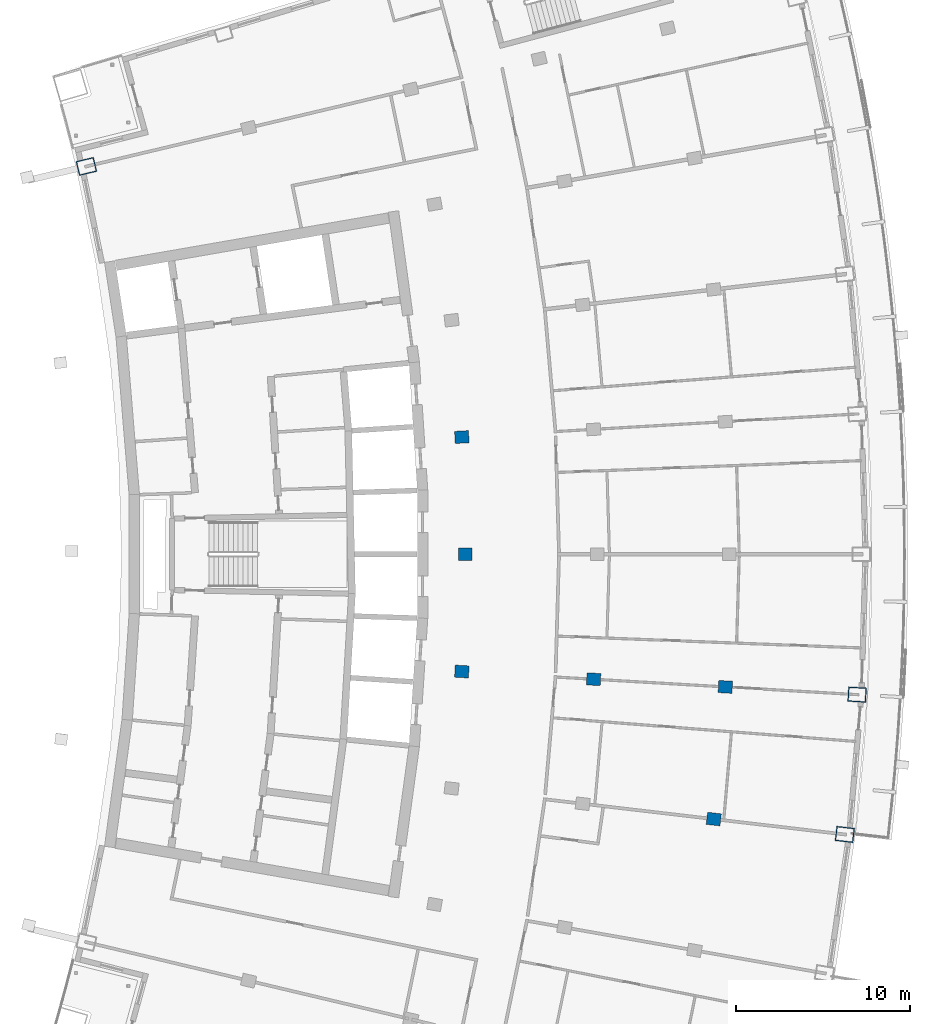
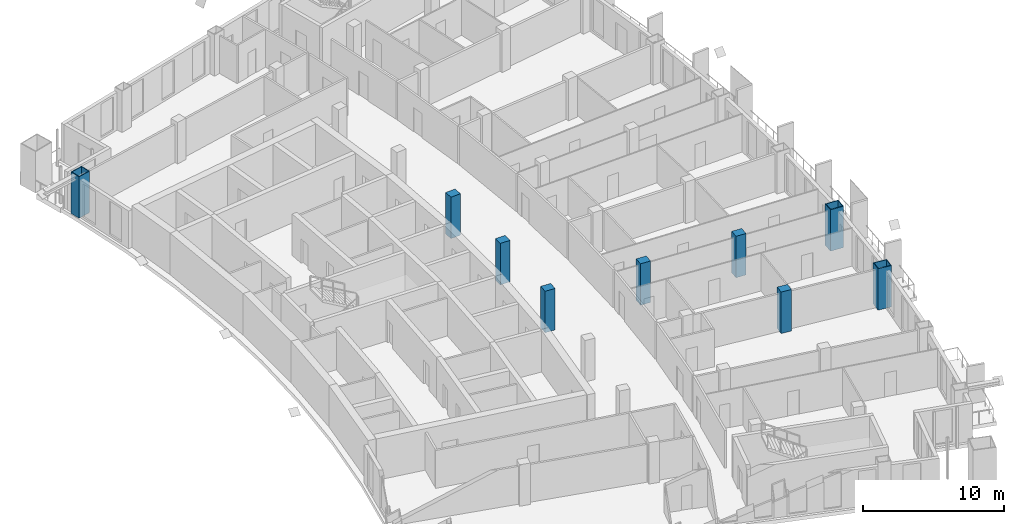
# One storey, part 4 of 19: 9 columns.
"""IFC4 building model written with IfcOpenShell, lengths in metres."""

from ifc_helpers import new_model, si_unit, direction, frame, origin, origin_2d, place, context, subcontext, project, spatial, rectangle, hollow_rectangle, extrude, material, material_profile, profile_set, type_object, element, save


model = new_model("IFC4")

# Units and contexts
model_context = context("Model", 3, precision=1e-05, world=origin(), true_north=direction((0.0, 1.0)))
body_context = subcontext(model_context, "Body", "Model", "MODEL_VIEW")
ifc_project = project(units=[si_unit("LENGTHUNIT", "METRE"), si_unit("AREAUNIT", "SQUARE_METRE"), si_unit("VOLUMEUNIT", "CUBIC_METRE"), si_unit("PLANEANGLEUNIT", "RADIAN"), si_unit("MASSUNIT", "GRAM", prefix="KILO")], contexts=[model_context])

# Site, building, storey
site_placement = place(None, origin())
site = spatial("IfcSite", under=ifc_project, at=site_placement, CompositionType="ELEMENT")
building_placement = place(site_placement, origin())
building = spatial("IfcBuilding", under=site, at=building_placement, Name="Alderwake Tower", CompositionType="ELEMENT")
storey_placement = place(building_placement, frame((0.0, 0.0, 196.39990234375)))
storey = spatial("IfcBuildingStorey", under=building, at=storey_placement, Name="L48", CompositionType="ELEMENT", Elevation=196.39990234375)

# Columns
ifc_material_1 = material(Name="Concrete C70/85", Category="concrete")
ifc_material_profile_1 = material_profile(ifc_material_1, rectangle(XDim=0.699951171875, YDim=0.800048828125, at=origin_2d()), Name="RC 800X700")
ifc_profile_set_1 = profile_set([ifc_material_profile_1], Name="Concrete C70/85")
column_type_1 = type_object("IfcColumnType", Name="Interior column Z4", PredefinedType="COLUMN", material=ifc_profile_set_1)
for number, where, z_axis, x_axis, name in (
    (1, (50.109619140625, 45.751220703125, 0.0), (0.0, 0.0, 1.0), (0.116402054316, 0.993202175668, 0.0), "Column R05-C4"),
    (2, (35.60302734375, 54.248779296875, 0.0), (0.0, 0.0, 1.0), (0.058301061284, 0.998299046505, 0.0), "Column R06-C2"),
    (3, (43.190185546875, 53.8056640625, 0.0), (0.0, 0.0, 1.0), (0.058301061284, 0.998299046505, 0.0), "Column R06-C3"),
    (4, (50.777099609375, 53.36279296875, 0.0), (0.0, 0.0, 1.0), (0.058299318924, 0.998299148258, 0.0), "Column R06-C4"),
    (5, (35.800048828125, 61.0, 0.0), (0.0, 0.0, 1.0), (0.0, 1.0, 0.0), "Column R07-C2"),
    (6, (35.60302734375, 67.751220703125, 0.0), (0.0, 0.0, 1.0), (-0.058301061284, 0.998299046505, 0.0), "Column R08-C2"),
):
    element("IfcColumn", number, at=place(storey_placement, frame(where, z_axis=z_axis, x_axis=x_axis)), inside=storey, type_object=column_type_1, Name=name, PredefinedType="COLUMN", context=body_context, shape_type="SweptSolid", body=[
        extrude(rectangle(XDim=0.699951171875, YDim=0.800048828125, at=origin_2d()), origin(), (0.0, 0.0, 1.0), 3.60009765625),
    ])
ifc_material_2 = material(Name="Steel ASTM A572 Grade 50 concrete filled C70/85", Category="concrete")
ifc_material_profile_2 = material_profile(ifc_material_2, hollow_rectangle(XDim=0.85009765625, YDim=1.050048828125, WallThickness=0.054931640625, at=origin_2d()), Name="BOX 1050X850X55")
ifc_profile_set_2 = profile_set([ifc_material_profile_2], Name="Steel ASTM A572 Grade 50 concrete filled C70/85")
column_type_2 = type_object("IfcColumnType", Name="Perimeter column Z4", PredefinedType="COLUMN", material=ifc_profile_set_2)
for number, where, z_axis, x_axis, name in (
    (7, (57.65771484375, 44.86669921875, 0.0), (0.0, 0.0, 1.0), (0.116402054316, 0.993202175668, 0.0), "Column R05-C5"),
    (8, (58.3642578125, 52.919677734375, 0.0), (0.0, 0.0, 1.0), (0.058299318924, 0.998299148258, 0.0), "Column R06-C5"),
    (9, (13.982177734375, 83.3359375, 0.0), (0.0, 0.0, 1.0), (-0.231221547198, 0.972901123502, 0.0), "Column R11-C0"),
):
    element("IfcColumn", number, at=place(storey_placement, frame(where, z_axis=z_axis, x_axis=x_axis)), inside=storey, type_object=column_type_2, Name=name, PredefinedType="COLUMN", context=body_context, shape_type="SweptSolid", body=[
        extrude(hollow_rectangle(XDim=0.85009765625, YDim=1.050048828125, WallThickness=0.054931640625, at=origin_2d()), origin(), (0.0, 0.0, 1.0), 3.60009765625),
    ])

save(model, "model.ifc")
